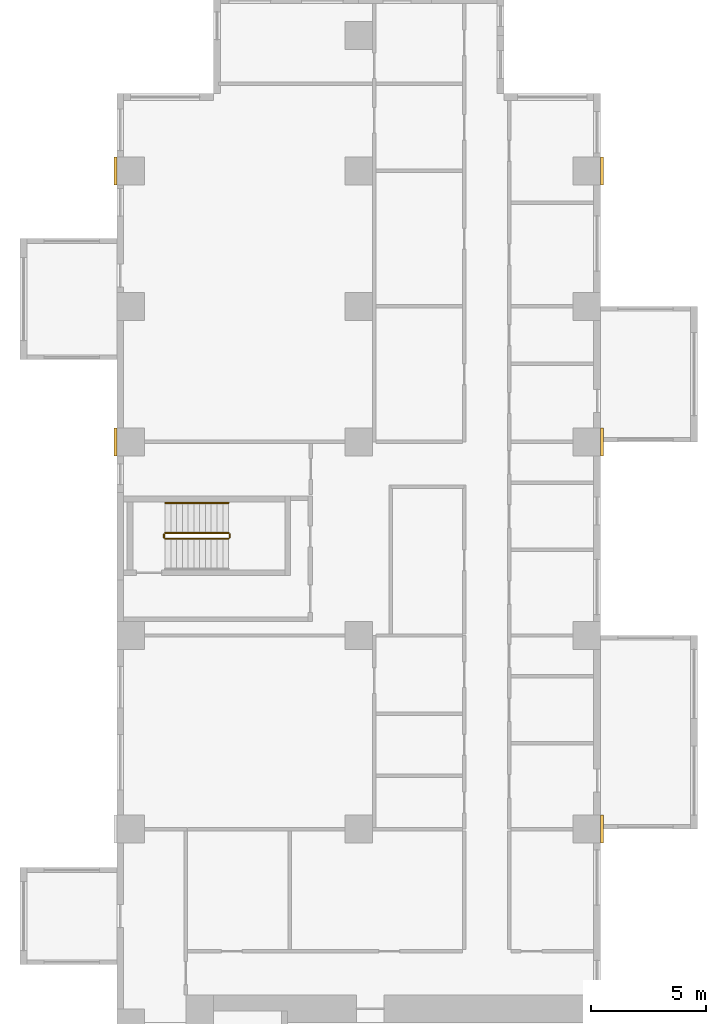
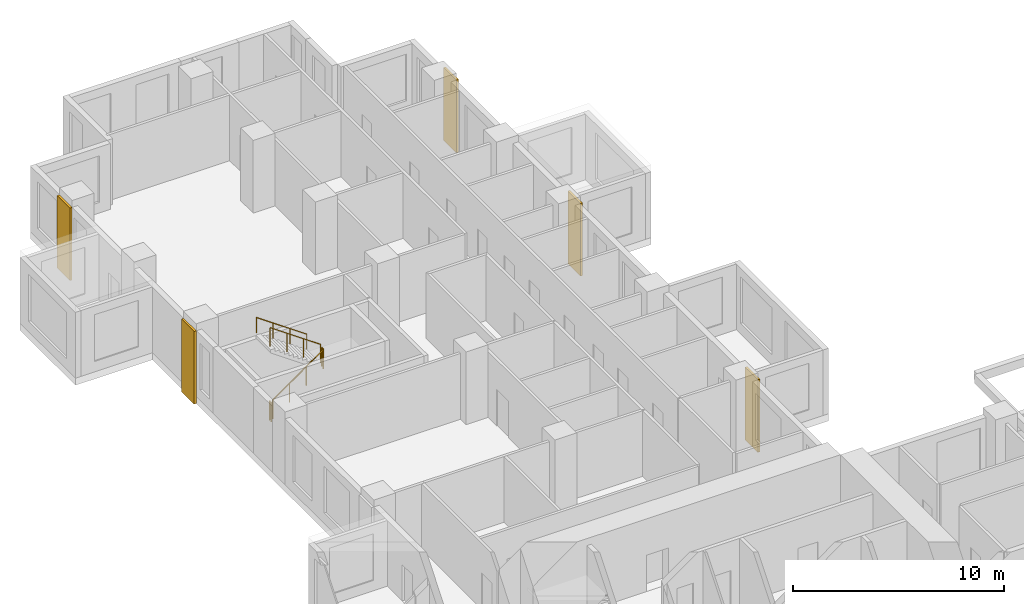
# One storey, part 16 of 17: 5 coverings, 5 railings.
"""IFC4 building model written with IfcOpenShell, lengths in metres."""

from ifc_helpers import new_model, si_unit, direction, frame, origin, origin_2d, place, context, subcontext, project, spatial, rectangle, circle, extrude, source, transform, mapped, material, type_object, element, save


model = new_model("IFC4")

# Units and contexts
model_context = context("Model", 3, precision=1e-05, world=origin(), true_north=direction((0.0, 1.0)))
body_context = subcontext(model_context, "Body", "Model", "MODEL_VIEW")
ifc_project = project(units=[si_unit("LENGTHUNIT", "METRE"), si_unit("AREAUNIT", "SQUARE_METRE"), si_unit("VOLUMEUNIT", "CUBIC_METRE"), si_unit("PLANEANGLEUNIT", "RADIAN"), si_unit("MASSUNIT", "GRAM", prefix="KILO")], contexts=[model_context])

# Site, building, storey
site_placement = place(None, origin())
site = spatial("IfcSite", under=ifc_project, at=site_placement, CompositionType="ELEMENT")
building_placement = place(site_placement, origin())
building = spatial("IfcBuilding", under=site, at=building_placement, Name="Aurelian Terraces", CompositionType="ELEMENT")
storey_placement = place(building_placement, frame((0.0, 0.0, 48.9)))
storey = spatial("IfcBuildingStorey", under=building, at=storey_placement, Name="L09", CompositionType="ELEMENT", Elevation=48.9)

# Coverings
ifc_material_1 = material(Name="Terracotta rainscreen cladding relief", Category="masonry")
covering_type = type_object("IfcCoveringType", Name="BAGUETTE-TC", PredefinedType="CLADDING", material=ifc_material_1)
shared_shape_1 = source(origin(), body_context, "Body", "SweptSolid", [
    extrude(rectangle(XDim=0.12, YDim=1.2, at=origin_2d()), origin(), (0.0, 0.0, 1.0), 4.2),
])
for number, where, z_axis, x_axis, name in (
    (1, (21.06, 29.4, -0.4), (0.0, 0.0, 1.0), (1.0, 0.0, 0.0), "BAGUETTE pier L09 9"),
    (2, (-0.06, 46.2, -0.4), (0.0, 0.0, 1.0), (1.0, 0.0, 0.0), "BAGUETTE pier L09 10"),
    (3, (21.06, 46.2, -0.4), (0.0, 0.0, 1.0), (1.0, 0.0, 0.0), "BAGUETTE pier L09 11"),
    (4, (-0.06, 57.96, -0.4), (0.0, 0.0, 1.0), (1.0, 0.0, 0.0), "BAGUETTE pier L09 12"),
    (5, (21.06, 57.96, -0.4), (0.0, 0.0, 1.0), (1.0, 0.0, 0.0), "BAGUETTE pier L09 13"),
):
    element("IfcCovering", number, at=place(storey_placement, frame(where, z_axis=z_axis, x_axis=x_axis)), inside=storey, type_object=covering_type, Name=name, PredefinedType="CLADDING", context=body_context, shape_type="MappedRepresentation", body=[
        mapped(shared_shape_1, transform((0.0, 0.0, 0.0), scale=1.0)),
    ])

# Railings
ifc_material_2 = material(Name="Stainless steel", Category="steel")
railing_type_1 = type_object("IfcRailingType", Name="Stair guard 1100", PredefinedType="GUARDRAIL", material=ifc_material_2)
shared_shape_2 = source(origin(), body_context, "Body", "SweptSolid", [
    extrude(circle(Radius=0.024, at=origin_2d()), frame((0.0, 0.0, 1.076), z_axis=(0.0, 1.0, 0.0), x_axis=(-1.0, 0.0, 0.0)), (0.0, 0.0, 1.0), 0.15),
    extrude(circle(Radius=0.021, at=origin_2d()), origin(), (0.0, 0.0, 1.0), 1.052),
    extrude(circle(Radius=0.021, at=origin_2d()), frame((0.0, 0.15, 0.0)), (0.0, 0.0, 1.0), 1.052),
])
for number, where, name in (
    (6, (4.9, 42.05, 2.1), "L09 S3 stair guard 2"),
    (7, (2.05, 42.05, 0.0), "L09 S3 stair guard 4"),
):
    element("IfcRailing", number, at=place(storey_placement, frame(where)), inside=storey, type_object=railing_type_1, Name=name, PredefinedType="GUARDRAIL", context=body_context, shape_type="MappedRepresentation", body=[
        mapped(shared_shape_2, transform((0.0, 0.0, 0.0), scale=1.0)),
    ])
shared_shape_3 = source(origin(), body_context, "Body", "SweptSolid", [
    extrude(circle(Radius=0.024, at=origin_2d()), frame((0.0, 0.0, 1.076), z_axis=(0.819231920519, 0.0, 0.573462344363), x_axis=(0.0, 1.0, 0.0)), (0.0, 0.0, 1.0), 3.3568),
    extrude(circle(Radius=0.021, at=origin_2d()), origin(), (0.0, 0.0, 1.0), 1.052),
    extrude(circle(Radius=0.021, at=origin_2d()), frame((0.9167, 0.0, 0.6417)), (0.0, 0.0, 1.0), 1.052),
    extrude(circle(Radius=0.021, at=origin_2d()), frame((1.8333, 0.0, 1.2833)), (0.0, 0.0, 1.0), 1.052),
    extrude(circle(Radius=0.021, at=origin_2d()), frame((2.75, 0.0, 1.925)), (0.0, 0.0, 1.0), 1.052),
])
railing_1_placement = place(storey_placement, frame((2.1, 42.0, 0.175)))
element("IfcRailing", 8, at=railing_1_placement, inside=storey, type_object=railing_type_1, Name="L09 S3 stair guard 1", PredefinedType="GUARDRAIL", context=body_context, shape_type="MappedRepresentation", body=[
    mapped(shared_shape_3, transform((0.0, 0.0, 0.0), scale=1.0)),
])
shared_shape_4 = source(origin(), body_context, "Body", "SweptSolid", [
    extrude(circle(Radius=0.024, at=origin_2d()), frame((0.0, 0.0, 1.076), z_axis=(-0.819231920519, 0.0, 0.573462344363), x_axis=(0.0, -1.0, 0.0)), (0.0, 0.0, 1.0), 3.3568),
    extrude(circle(Radius=0.021, at=origin_2d()), origin(), (0.0, 0.0, 1.0), 1.052),
    extrude(circle(Radius=0.021, at=origin_2d()), frame((-0.9167, 0.0, 0.6417)), (0.0, 0.0, 1.0), 1.052),
    extrude(circle(Radius=0.021, at=origin_2d()), frame((-1.8333, 0.0, 1.2833)), (0.0, 0.0, 1.0), 1.052),
    extrude(circle(Radius=0.021, at=origin_2d()), frame((-2.75, 0.0, 1.925)), (0.0, 0.0, 1.0), 1.052),
])
railing_2_placement = place(storey_placement, frame((4.85, 42.25, 2.275)))
element("IfcRailing", 9, at=railing_2_placement, inside=storey, type_object=railing_type_1, Name="L09 S3 stair guard 3", PredefinedType="GUARDRAIL", context=body_context, shape_type="MappedRepresentation", body=[
    mapped(shared_shape_4, transform((0.0, 0.0, 0.0), scale=1.0)),
])
railing_type_2 = type_object("IfcRailingType", Name="Stair handrail", PredefinedType="HANDRAIL", material=ifc_material_2)
shared_shape_5 = source(origin(), body_context, "Body", "SweptSolid", [
    extrude(circle(Radius=0.024, at=origin_2d()), frame((0.0, 0.0, 0.876), z_axis=(-0.819231920519, 0.0, 0.573462344363), x_axis=(0.0, -1.0, 0.0)), (0.0, 0.0, 1.0), 3.3568),
    extrude(circle(Radius=0.021, at=origin_2d()), origin(), (0.0, 0.0, 1.0), 0.852),
    extrude(circle(Radius=0.021, at=origin_2d()), frame((-0.9167, 0.0, 0.6417)), (0.0, 0.0, 1.0), 0.852),
    extrude(circle(Radius=0.021, at=origin_2d()), frame((-1.8333, 0.0, 1.2833)), (0.0, 0.0, 1.0), 0.852),
    extrude(circle(Radius=0.021, at=origin_2d()), frame((-2.75, 0.0, 1.925)), (0.0, 0.0, 1.0), 0.852),
])
railing_3_placement = place(storey_placement, frame((4.85, 43.55, 2.275)))
element("IfcRailing", 10, at=railing_3_placement, inside=storey, type_object=railing_type_2, Name="L09 S3 stair handrail 2", PredefinedType="HANDRAIL", context=body_context, shape_type="MappedRepresentation", body=[
    mapped(shared_shape_5, transform((0.0, 0.0, 0.0), scale=1.0)),
])

save(model, "model.ifc")
